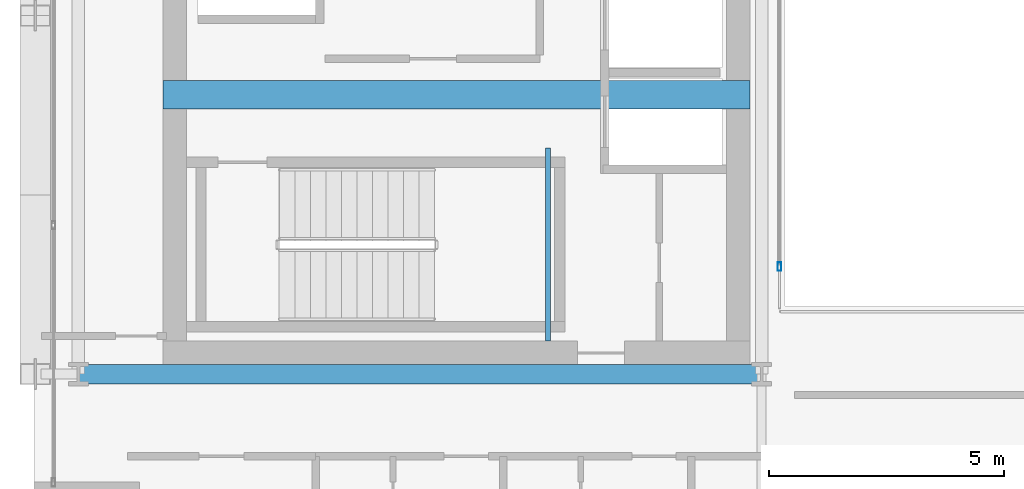
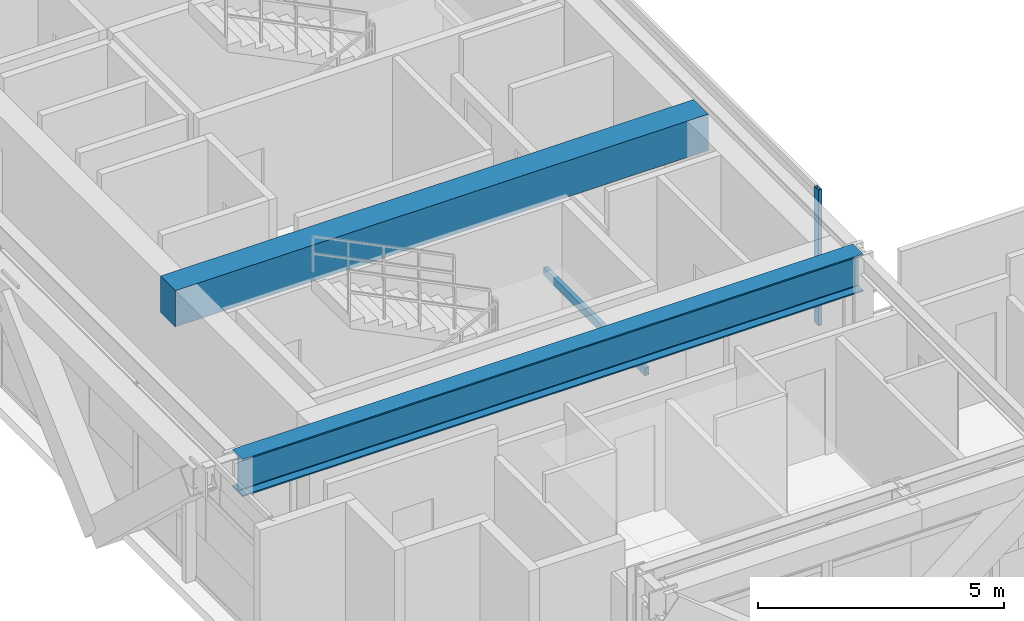
# One storey, part 5 of 38: 3 beams, 1 member, 1 element without a shape of its own.
"""IFC4 building model written with IfcOpenShell, lengths in metres."""

from ifc_helpers import new_model, si_unit, direction, frame, origin, origin_2d, place, context, subcontext, project, spatial, rectangle, hollow_rectangle, i_section, extrude, source, transform, mapped, material, layer, layer_set, material_profile, profile_set, type_object, element, aggregate, save


model = new_model("IFC4")

# Units and contexts
model_context = context("Model", 3, precision=1e-05, world=origin(), true_north=direction((0.0, 1.0)))
body_context = subcontext(model_context, "Body", "Model", "MODEL_VIEW")
ifc_project = project(units=[si_unit("LENGTHUNIT", "METRE"), si_unit("AREAUNIT", "SQUARE_METRE"), si_unit("VOLUMEUNIT", "CUBIC_METRE"), si_unit("PLANEANGLEUNIT", "RADIAN"), si_unit("MASSUNIT", "GRAM", prefix="KILO")], contexts=[model_context])

# Site, building, storey
site_placement = place(None, origin())
site = spatial("IfcSite", under=ifc_project, at=site_placement, CompositionType="ELEMENT")
building_placement = place(site_placement, origin())
building = spatial("IfcBuilding", under=site, at=building_placement, Name="Ocotamira Hotel", CompositionType="ELEMENT")
storey_placement = place(building_placement, frame((0.0, 0.0, 170.39990234375)))
storey = spatial("IfcBuildingStorey", under=building, at=storey_placement, Name="L42", CompositionType="ELEMENT", Elevation=170.39990234375)

# Beams
ifc_material_1 = material(Name="Concrete C50/60", Category="concrete")
ifc_material_profile_1 = material_profile(ifc_material_1, rectangle(XDim=0.60009765625, YDim=0.89990234375, at=origin_2d()), Name="RC600X900")
ifc_profile_set_1 = profile_set([ifc_material_profile_1], Name="Concrete C50/60")
beam_type_1 = type_object("IfcBeamType", Name="BM-LINK-RC600", PredefinedType="LINTEL", material=ifc_profile_set_1)
shared_shape_1 = source(origin(), body_context, "Body", "SweptSolid", [
    extrude(rectangle(XDim=0.60009765625, YDim=0.89990234375, at=origin_2d()), origin(), (0.0, 0.0, 1.0), 12.5),
])
beam_1_placement = place(storey_placement, frame((10.75, 20.5, 2.920166015625), z_axis=(1.0, 0.0, 0.0), x_axis=(0.0, 1.0, 0.0)))
element("IfcBeam", 1, at=beam_1_placement, inside=storey, type_object=beam_type_1, Name="L42 West Core Coupling Beam", PredefinedType="LINTEL", context=body_context, shape_type="MappedRepresentation", body=[
    mapped(shared_shape_1, transform((0.0, 0.0, 0.0), scale=1.0)),
])
ifc_material_2 = material(Name="Steel ASTM A500 Grade C", Category="steel")
ifc_material_profile_2 = material_profile(ifc_material_2, hollow_rectangle(XDim=0.10009765625, YDim=0.199951171875, WallThickness=0.008056640625, at=origin_2d()), Name="HSS200X100X8")
ifc_profile_set_2 = profile_set([ifc_material_profile_2], Name="Steel ASTM A500 Grade C")
beam_type_2 = type_object("IfcBeamType", Name="BM-STLDG-HSS200", PredefinedType="BEAM", material=ifc_profile_set_2)
shared_shape_2 = source(origin(), body_context, "Body", "SweptSolid", [
    extrude(hollow_rectangle(XDim=0.10009765625, YDim=0.199951171875, WallThickness=0.008056640625, at=origin_2d()), origin(), (0.0, 0.0, 1.0), 4.1201171875),
])
beam_2_placement = place(storey_placement, frame((18.949951171875, 15.25, 1.5), z_axis=(0.0, 1.0, 0.0), x_axis=(-1.0, 0.0, 0.0)))
element("IfcBeam", 2, at=beam_2_placement, inside=storey, type_object=beam_type_2, Name="L42 Stair ST-1 Landing Bearer 1", PredefinedType="BEAM", context=body_context, shape_type="MappedRepresentation", body=[
    mapped(shared_shape_2, transform((0.0, 0.0, 0.0), scale=1.0)),
])
ifc_material_3 = material(Name="Steel ASTM A992 Grade 50", Category="steel")
ifc_material_profile_3 = material_profile(ifc_material_3, i_section(OverallWidth=0.41796875, OverallDepth=0.927001953125, WebThickness=0.019287109375, FlangeThickness=0.031982421875, FilletRadius=0.02392578125, at=origin_2d()), Name="W36X231")
ifc_profile_set_3 = profile_set([ifc_material_profile_3], Name="Steel ASTM A992 Grade 50")
beam_type_3 = type_object("IfcBeamType", Name="BM-GIRD-W36X231", PredefinedType="BEAM", material=ifc_profile_set_3)
shared_shape_3 = source(origin(), body_context, "Body", "SweptSolid", [
    extrude(i_section(OverallWidth=0.41796875, OverallDepth=0.927001953125, WebThickness=0.019287109375, FlangeThickness=0.031982421875, FilletRadius=0.02392578125, at=origin_2d()), origin(), (0.0, 0.0, 1.0), 14.550048828125),
])
beam_3_placement = place(storey_placement, frame((8.949951171875, 14.550048828125, 2.906494140625), z_axis=(1.0, 0.0, 0.0), x_axis=(0.0, 1.0, 0.0)))
element("IfcBeam", 3, at=beam_3_placement, inside=storey, type_object=beam_type_3, Name="L42 Girder Y14.55 X8.95-23.5", PredefinedType="BEAM", context=body_context, shape_type="MappedRepresentation", body=[
    mapped(shared_shape_3, transform((0.0, 0.0, 0.0), scale=1.0)),
])

# Curtain wall, member
ifc_material_4 = material(Name="Anodised pale-metal aluminium and solar glass", Category="aluminium")
ifc_layer = layer(ifc_material_4, 0.159912109375)
ifc_layer_set = layer_set([ifc_layer], Name="Anodised pale-metal aluminium and solar glass")
curtain_wall_type = type_object("IfcCurtainWallType", Name="CW-SYS6-ATR", PredefinedType="NOTDEFINED", material=ifc_layer_set)
curtain_wall_placement = place(storey_placement, origin())
curtain_wall = element("IfcCurtainWall", 4, at=curtain_wall_placement, inside=storey, type_object=curtain_wall_type, Name="L42 Curtain Wall CW-6 CW-L42-ATRW1", PredefinedType="NOTDEFINED")
ifc_material_5 = material(Name="Anodised pale-metal aluminium 6063-T6", Category="aluminium")
ifc_material_profile_4 = material_profile(ifc_material_5, hollow_rectangle(XDim=0.080078125, YDim=0.179931640625, WallThickness=0.006103515625, at=origin_2d()), Name="HSS180X80X6")
ifc_profile_set_4 = profile_set([ifc_material_profile_4], Name="Anodised pale-metal aluminium 6063-T6")
member_type = type_object("IfcMemberType", Name="CWM-180X75", PredefinedType="MULLION", material=ifc_profile_set_4)
shared_shape_4 = source(origin(), body_context, "Body", "SweptSolid", [
    extrude(hollow_rectangle(XDim=0.080078125, YDim=0.179931640625, WallThickness=0.006103515625, at=origin_2d()), origin(), (0.0, 0.0, 1.0), 3.3701171875),
])
member_placement = place(storey_placement, frame((23.8798828125, 16.840087890625, 0.0), z_axis=(0.0, 0.0, 1.0), x_axis=(-1.0, 0.0, 0.0)))
member = element("IfcMember", 5, at=member_placement, type_object=member_type, Name="CW-6 mullion 1", PredefinedType="MULLION", context=body_context, shape_type="MappedRepresentation", body=[
    mapped(shared_shape_4, transform((0.0, 0.0, 0.0), scale=1.0)),
])
aggregate(curtain_wall, [member])

save(model, "model.ifc")
